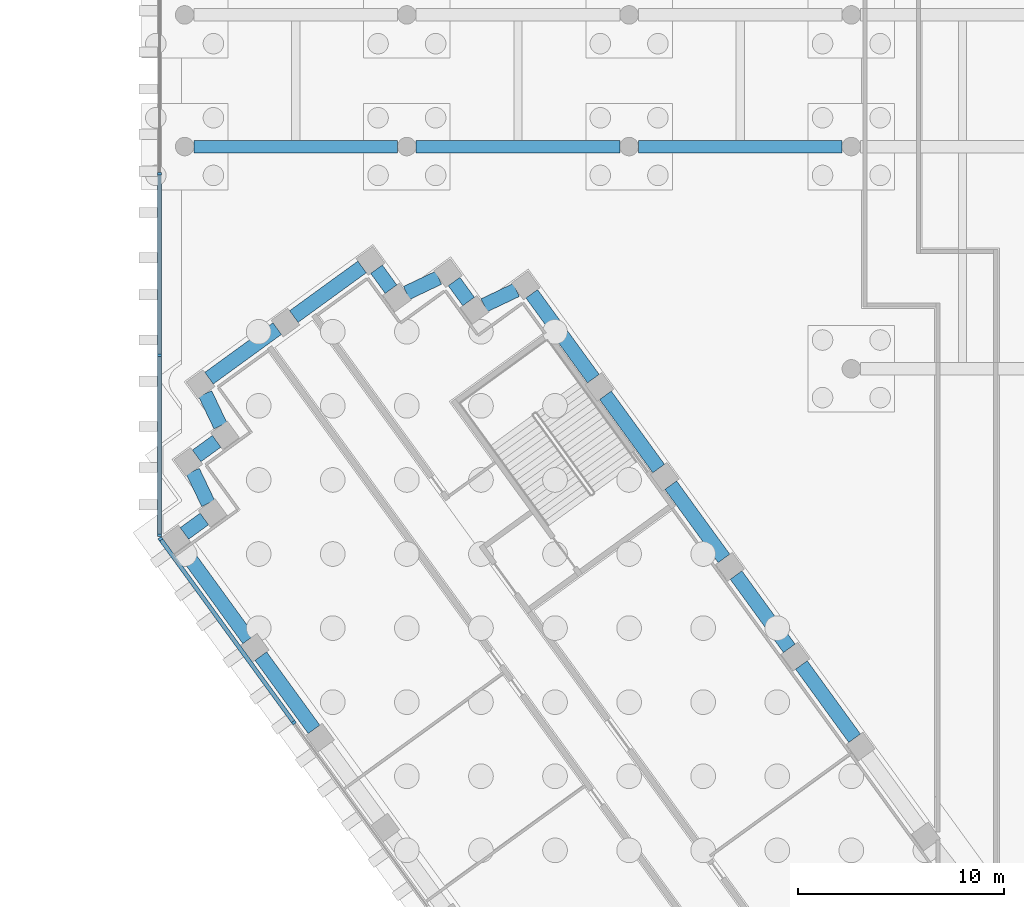
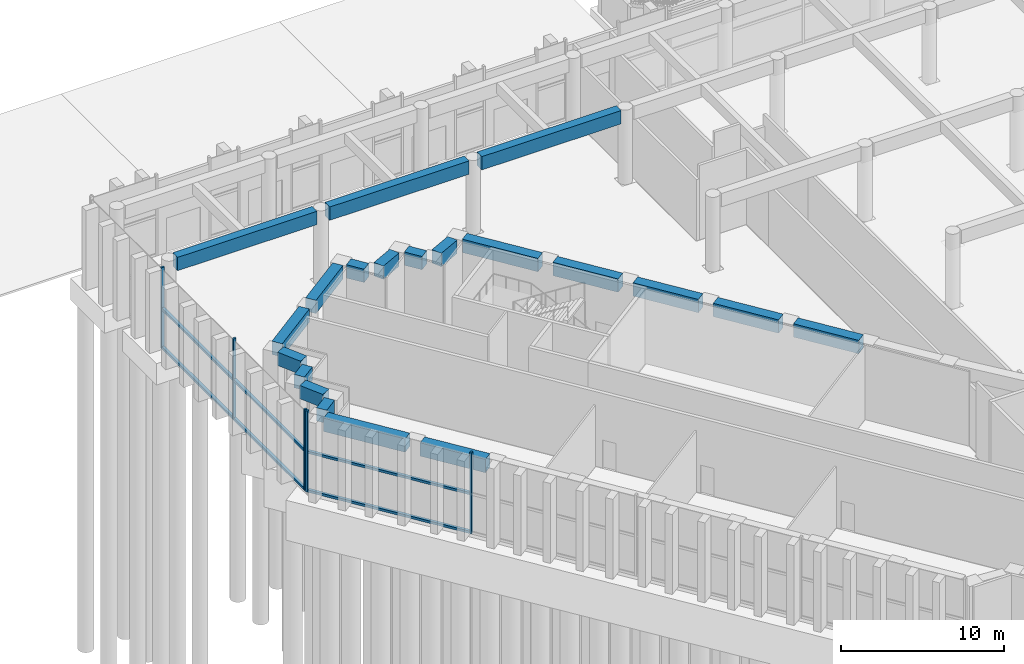
# One storey, part 6 of 32: 20 beams, 11 members, 2 elements without a shape of their own.
"""IFC4 building model written with IfcOpenShell, lengths in metres."""

import ifcopenshell
import ifcopenshell.guid

model = None  # the IFC model being written
_history = None  # IfcOwnerHistory: only IFC2X3 demands one
_inside = {}  # id of a spatial element -> (the spatial element, [elements in it])
_under = {}  # id of a project, library or spatial element -> (it, [spatial elements below it])
_declared = {}  # id of a project -> (the project, [libraries it declares])
_typed = {}  # id of a type object -> (the type object, [elements of that type])
_made_of = {}  # id of a material, layer set ... -> (it, [elements and type objects made of it])


def new_model(schema):
    """Start an empty IFC model of exactly this schema.

    Asked for "IFC4X3", IfcOpenShell would pick the latest addendum, in which some entities
    have other attributes; the version numbers below select the first issue.
    IFC2X3 requires an IfcOwnerHistory on every rooted entity: one is made here for all.
    """
    global model, _history
    if schema == "IFC4X3":
        model = ifcopenshell.file(schema_version=(4, 3, 0, 0))
    else:
        model = ifcopenshell.file(schema=schema)
    _inside.clear()
    _under.clear()
    _declared.clear()
    _typed.clear()
    _made_of.clear()
    _history = None
    if model.schema == "IFC2X3":
        org = make("IfcOrganization", Name="unknown")
        user = make(
            "IfcPersonAndOrganization",
            ThePerson=make("IfcPerson", FamilyName="unknown"),
            TheOrganization=org,
        )
        app = make(
            "IfcApplication",
            ApplicationDeveloper=org,
            Version="unknown",
            ApplicationFullName="unknown",
            ApplicationIdentifier="unknown",
        )
        _history = make(
            "IfcOwnerHistory",
            OwningUser=user,
            OwningApplication=app,
            ChangeAction="ADDED",
            CreationDate=0,
        )
    return model


def make(cls, **values):
    """One entity of the class cls with the attributes given. An attribute that is None is left unset."""
    return model.create_entity(
        cls, **{name: value for name, value in values.items() if value is not None}
    )


def rooted(cls, **values):
    """An entity with a GlobalId (a new one), such as an element, a storey or a relation."""
    return make(cls, GlobalId=ifcopenshell.guid.new(), OwnerHistory=_history, **values)


def si_unit(unit_type, name, prefix=None):
    """IfcSIUnit, for example si_unit("LENGTHUNIT", "METRE", prefix="MILLI")."""
    return make("IfcSIUnit", UnitType=unit_type, Prefix=prefix, Name=name)


def assignment(units):
    """IfcUnitAssignment: the units of a project."""
    return None if units is None else make("IfcUnitAssignment", Units=units)


def point(xyz):
    """IfcCartesianPoint."""
    return None if xyz is None else make("IfcCartesianPoint", Coordinates=xyz)


def direction(xyz):
    """IfcDirection."""
    return None if xyz is None else make("IfcDirection", DirectionRatios=xyz)


def frame(location, z_axis=None, x_axis=None):
    """IfcAxis2Placement3D, a coordinate frame: its origin and axes. An axis left out is left unset."""
    return make(
        "IfcAxis2Placement3D",
        Location=point(location),
        Axis=direction(z_axis),
        RefDirection=direction(x_axis),
    )


def frame_2d(location, x_axis=None):
    """IfcAxis2Placement2D, a coordinate frame in the plane: its origin and x axis."""
    return make(
        "IfcAxis2Placement2D", Location=point(location), RefDirection=direction(x_axis)
    )


def origin():
    """The frame at (0, 0, 0) with its axes left unset."""
    return frame((0.0, 0.0, 0.0))


def origin_2d():
    """The frame at (0, 0) in the plane with its x axis left unset."""
    return frame_2d((0.0, 0.0))


def place(relative_to, where):
    """IfcLocalPlacement: puts the frame where relative to a parent placement (None: the world)."""
    return make(
        "IfcLocalPlacement", PlacementRelTo=relative_to, RelativePlacement=where
    )


def context(
    kind, dimensions, precision=None, world=None, true_north=None, identifier=None
):
    """IfcGeometricRepresentationContext, for example the 3D "Model" context."""
    return make(
        "IfcGeometricRepresentationContext",
        ContextIdentifier=identifier,
        ContextType=kind,
        CoordinateSpaceDimension=dimensions,
        Precision=precision,
        WorldCoordinateSystem=world,
        TrueNorth=true_north,
    )


def subcontext(parent, identifier, kind, view, scale=None):
    """IfcGeometricRepresentationSubContext, for example "Body" below "Model"."""
    return make(
        "IfcGeometricRepresentationSubContext",
        ContextIdentifier=identifier,
        ContextType=kind,
        ParentContext=parent,
        TargetScale=scale,
        TargetView=view,
    )


def project(units=None, contexts=None):
    """IfcProject with its units and contexts."""
    return rooted(
        "IfcProject",
        Name="project",
        RepresentationContexts=contexts,
        UnitsInContext=assignment(units),
    )


def spatial(cls, under=None, at=None, **own):
    """A site, building, storey or space (cls), placed at a placement, below another one or the project."""
    s = rooted(cls, ObjectPlacement=at, **own)
    if under is not None:
        _under.setdefault(under.id(), (under, []))[1].append(s)
    return s


def profile(cls, at=None, kind="AREA", **sizes):
    """A parametric profile (cls). Its sizes go by their IFC names, for example OverallWidth=200.0."""
    return make(cls, ProfileType=kind, Position=at, **sizes)


def rectangle(**sizes):
    """IfcRectangleProfileDef."""
    return profile("IfcRectangleProfileDef", **sizes)


def extrude(swept, where, along, depth):
    """IfcExtrudedAreaSolid: the profile swept, set in the frame where, extruded along a direction by depth."""
    return make(
        "IfcExtrudedAreaSolid",
        SweptArea=swept,
        Position=where,
        ExtrudedDirection=direction(along),
        Depth=depth,
    )


def shape(context_of_items, identifier, shape_type, items):
    """IfcShapeRepresentation: the items that make up one representation, for example the "Body"."""
    return make(
        "IfcShapeRepresentation",
        ContextOfItems=context_of_items,
        RepresentationIdentifier=identifier,
        RepresentationType=shape_type,
        Items=items,
    )


def material(Name=None, Category=None):
    """IfcMaterial."""
    return make("IfcMaterial", Name=Name, Category=Category)


def material_profile(
    of_material, cross_section, Name=None, Category=None, Priority=None
):
    """IfcMaterialProfile: a cross section and its material."""
    return make(
        "IfcMaterialProfile",
        Name=Name,
        Material=of_material,
        Profile=cross_section,
        Priority=Priority,
        Category=Category,
    )


def profile_set(profiles, Name=None, composite=None):
    """IfcMaterialProfileSet."""
    return make(
        "IfcMaterialProfileSet",
        Name=Name,
        MaterialProfiles=profiles,
        CompositeProfile=composite,
    )


def made_of(thing, what):
    """Note that an element or type object is made of a material, layer set ...; save() writes the relation."""
    if what is not None:
        _made_of.setdefault(what.id(), (what, []))[1].append(thing)
    return thing


def type_object(cls, material=None, **own):
    """A type object (cls), such as IfcWallType, which elements share."""
    return made_of(rooted(cls, **own), material)


def element(
    cls,
    number,
    at=None,
    inside=None,
    cuts=None,
    type_object=None,
    material=None,
    context=None,
    identifier="Body",
    shape_type=None,
    held_by="IfcProductDefinitionShape",
    body=None,
    shapes=None,
    **own,
):
    """One element of the class cls, such as IfcWall. Its Tag is "e" and its number.

    at: its placement. inside: the storey or other place that contains it. cuts: it is an
    opening in that element (IfcRelVoidsElement). A single representation is given by context,
    identifier, shape_type and body (its items); several are given by shapes. held_by: the class
    of the entity that holds the representations. save() writes the other relations.
    """
    e = rooted(cls, Tag="e%d" % number, ObjectPlacement=at, **own)
    if body is not None:
        shapes = [shape(context, identifier, shape_type, body)]
    if shapes is not None:
        e.Representation = make(held_by, Representations=shapes)
    if inside is not None:
        _inside.setdefault(inside.id(), (inside, []))[1].append(e)
    if cuts is not None:
        rooted(
            "IfcRelVoidsElement", RelatingBuildingElement=cuts, RelatedOpeningElement=e
        )
    if type_object is not None:
        _typed.setdefault(type_object.id(), (type_object, []))[1].append(e)
    return made_of(e, material)


def aggregate(whole, parts):
    """IfcRelAggregates: a whole, such as a stair, and the parts it consists of."""
    return rooted("IfcRelAggregates", RelatingObject=whole, RelatedObjects=parts)


def save(model, path):
    """Write the relations noted so far, then the file.

    IfcRelAggregates (storeys below a building ...), IfcRelContainedInSpatialStructure (elements
    in a storey), IfcRelDefinesByType, IfcRelAssociatesMaterial and IfcRelDeclares: one each for
    every whole, place, type object, material and project.
    """
    for whole, parts in _under.values():
        aggregate(whole, parts)
    for where, things in _inside.values():
        rooted(
            "IfcRelContainedInSpatialStructure",
            RelatedElements=things,
            RelatingStructure=where,
        )
    for kind, things in _typed.values():
        rooted("IfcRelDefinesByType", RelatedObjects=things, RelatingType=kind)
    for what, things in _made_of.values():
        rooted("IfcRelAssociatesMaterial", RelatedObjects=things, RelatingMaterial=what)
    for by, libraries in _declared.values():
        rooted("IfcRelDeclares", RelatingContext=by, RelatedDefinitions=libraries)
    model.write(path)


model = new_model("IFC4")

# Units and contexts
model_context = context("Model", 3, precision=1e-05, world=origin(), true_north=direction((0.0, 1.0)))
body_context = subcontext(model_context, "Body", "Model", "MODEL_VIEW")
ifc_project = project(units=[si_unit("LENGTHUNIT", "METRE"), si_unit("AREAUNIT", "SQUARE_METRE"), si_unit("VOLUMEUNIT", "CUBIC_METRE"), si_unit("PLANEANGLEUNIT", "RADIAN"), si_unit("MASSUNIT", "GRAM", prefix="KILO")], contexts=[model_context])

# Site, building, storey
site_placement = place(None, origin())
site = spatial("IfcSite", under=ifc_project, at=site_placement, CompositionType="ELEMENT")
building_placement = place(site_placement, origin())
building = spatial("IfcBuilding", under=site, at=building_placement, Name="Quipu Civic Tower", CompositionType="ELEMENT")
storey_placement = place(building_placement, origin())
storey = spatial("IfcBuildingStorey", under=building, at=storey_placement, Name="L00", CompositionType="ELEMENT", Elevation=0.0)

# Beams
ifc_material_1 = material(Name="Concrete C50/60", Category="concrete")
ifc_material_profile_1 = material_profile(ifc_material_1, rectangle(XDim=0.60009765625, YDim=1.0, at=origin_2d()), Name="RC600x1000")
ifc_profile_set_1 = profile_set([ifc_material_profile_1], Name="Concrete C50/60")
beam_type_1 = type_object("IfcBeamType", Name="Deck girder RC 600x1000 C50/60", PredefinedType="BEAM", material=ifc_profile_set_1)
beam_1_placement = place(storey_placement, frame((-53.550048828125, 48.60009765625, 5.10009765625), z_axis=(1.0, 0.0, 0.0), x_axis=(0.0, 1.0, 0.0)))
element("IfcBeam", 1, at=beam_1_placement, inside=storey, type_object=beam_type_1, Name="Deck girder -10 49", PredefinedType="BEAM", context=body_context, shape_type="SweptSolid", body=[
    extrude(rectangle(XDim=0.60009765625, YDim=1.0, at=origin_2d()), origin(), (0.0, 0.0, 1.0), 9.900146484375),
])
for number, where, z_axis, x_axis, name in (
    (2, (-42.75, 48.60009765625, 5.10009765625), (1.0, 0.0, 0.0), (0.0, 1.0, 0.0), "Deck girder -8 49"),
    (3, (-31.949951171875, 48.60009765625, 5.10009765625), (1.0, 0.0, 0.0), (0.0, 1.0, 0.0), "Deck girder -6 49"),
):
    element("IfcBeam", number, at=place(storey_placement, frame(where, z_axis=z_axis, x_axis=x_axis)), inside=storey, type_object=beam_type_1, Name=name, PredefinedType="BEAM", context=body_context, shape_type="SweptSolid", body=[
        extrude(rectangle(XDim=0.60009765625, YDim=1.0, at=origin_2d()), origin(), (0.0, 0.0, 1.0), 9.89990234375),
    ])

# Curtain wall, members
ifc_material_2 = material(Name="Insulated glass unit", Category="glass")
curtain_wall_type = type_object("IfcCurtainWallType", Name="Hall glazing CW2", PredefinedType="NOTDEFINED", material=ifc_material_2)
curtain_wall_1_placement = place(storey_placement, origin())
curtain_wall_1 = element("IfcCurtainWall", 4, at=curtain_wall_1_placement, inside=storey, type_object=curtain_wall_type, Name="Hall glazing CW2 L00 run 32", PredefinedType="NOTDEFINED")
ifc_material_3 = material(Name="Anodised aluminium", Category="aluminium")
ifc_material_profile_2 = material_profile(ifc_material_3, rectangle(XDim=0.199951171875, YDim=0.139892578125, at=origin_2d()), Name="RECT 200x140")
ifc_profile_set_2 = profile_set([ifc_material_profile_2], Name="Anodised aluminium")
member_type_1 = type_object("IfcMemberType", Name="Mullion CW2", PredefinedType="MULLION", material=ifc_profile_set_2)
member_1_placement = place(storey_placement, frame((-55.21435546875, 47.28076171875, 0.0), z_axis=(0.0, 0.0, 1.0), x_axis=(1.0, 0.0, 0.0)))
member_1 = element("IfcMember", 5, at=member_1_placement, type_object=member_type_1, Name="CW2 mullion 2", PredefinedType="MULLION", context=body_context, shape_type="SweptSolid", body=[
    extrude(rectangle(XDim=0.199951171875, YDim=0.139892578125, at=origin_2d()), origin(), (0.0, 0.0, 1.0), 6.090087890625),
])
member_2_placement = place(storey_placement, frame((-55.21435546875, 38.461669921875, 0.0), z_axis=(0.0, 0.0, 1.0), x_axis=(1.0, 0.0, 0.0)))
member_2 = element("IfcMember", 6, at=member_2_placement, type_object=member_type_1, Name="CW2 mullion 3", PredefinedType="MULLION", context=body_context, shape_type="SweptSolid", body=[
    extrude(rectangle(XDim=0.199951171875, YDim=0.139892578125, at=origin_2d()), origin(), (0.0, 0.0, 1.0), 6.090087890625),
])
member_3_placement = place(storey_placement, frame((-55.21435546875, 29.71240234375, 0.0), z_axis=(0.0, 0.0, 1.0), x_axis=(1.0, 0.0, 0.0)))
member_3 = element("IfcMember", 7, at=member_3_placement, type_object=member_type_1, Name="CW2 mullion 4", PredefinedType="MULLION", context=body_context, shape_type="SweptSolid", body=[
    extrude(rectangle(XDim=0.199951171875, YDim=0.139892578125, at=origin_2d()), origin(), (0.0, 0.0, 1.0), 6.090087890625),
])

curtain_wall_2_placement = place(storey_placement, origin())
curtain_wall_2 = element("IfcCurtainWall", 8, at=curtain_wall_2_placement, inside=storey, type_object=curtain_wall_type, Name="Hall glazing CW2 L00 run 35", PredefinedType="NOTDEFINED")
member_4_placement = place(storey_placement, frame((-55.178466796875, 29.53466796875, 0.0), z_axis=(0.0, 0.0, 1.0), x_axis=(0.809017581064, 0.587784444783, 0.0)))
member_4 = element("IfcMember", 9, at=member_4_placement, type_object=member_type_1, Name="CW2 mullion 1", PredefinedType="MULLION", context=body_context, shape_type="SweptSolid", body=[
    extrude(rectangle(XDim=0.199951171875, YDim=0.139892578125, at=origin_2d()), origin(), (0.0, 0.0, 1.0), 6.090087890625),
])
member_5_placement = place(storey_placement, frame((-48.691162109375, 20.60546875, 0.0), z_axis=(0.0, 0.0, 1.0), x_axis=(0.809017581064, 0.587784444783, 0.0)))
member_5 = element("IfcMember", 10, at=member_5_placement, type_object=member_type_1, Name="CW2 mullion 2", PredefinedType="MULLION", context=body_context, shape_type="SweptSolid", body=[
    extrude(rectangle(XDim=0.199951171875, YDim=0.139892578125, at=origin_2d()), origin(), (0.0, 0.0, 1.0), 6.090087890625),
])

# Beams
ifc_material_4 = material(Name="Concrete C50/60", Category="concrete")
ifc_material_profile_3 = material_profile(ifc_material_4, rectangle(XDim=0.699951171875, YDim=1.0, at=origin_2d()), Name="RC700x1000")
ifc_profile_set_3 = profile_set([ifc_material_profile_3], Name="Concrete C50/60")
beam_type_2 = type_object("IfcBeamType", Name="Spandrel beam RC 700x1000 C50/60", PredefinedType="SPANDREL", material=ifc_profile_set_3)
for number, where, z_axis, x_axis, name in (
    (11, (-21.441162109375, 19.848388671875, 5.10009765625), (-0.587759228046, 0.809035901457, 0.0), (-0.809035901457, -0.587759228046, 0.0), "Spandrel beam L00 W-IN-02 to W-IN-03"),
    (12, (-24.615234375, 24.217041015625, 5.10009765625), (-0.587732844487, 0.809055068281, 0.0), (-0.809055068281, -0.587732844487, 0.0), "Spandrel beam L00 W-IN-03 to W-IN-04"),
    (13, (-27.7890625, 28.5859375, 5.10009765625), (-0.587759228046, 0.809035901457, 0.0), (-0.809035901457, -0.587759228046, 0.0), "Spandrel beam L00 W-IN-04 to W-IN-05"),
    (14, (-30.962890625, 32.954833984375, 5.10009765625), (-0.587759228046, 0.809035901457, 0.0), (-0.809035901457, -0.587759228046, 0.0), "Spandrel beam L00 W-IN-05 to W-IN-06"),
):
    element("IfcBeam", number, at=place(storey_placement, frame(where, z_axis=z_axis, x_axis=x_axis)), inside=storey, type_object=beam_type_2, Name=name, PredefinedType="SPANDREL", context=body_context, shape_type="SweptSolid", body=[
        extrude(rectangle(XDim=0.699951171875, YDim=1.0, at=origin_2d()), origin(), (0.0, 0.0, 1.0), 4.400146484375),
    ])
beam_2_placement = place(storey_placement, frame((-34.13671875, 37.32373046875, 5.10009765625), z_axis=(-0.587747065363, 0.809044737426, 0.0), x_axis=(-0.809044737426, -0.587747065363, 0.0)))
element("IfcBeam", 15, at=beam_2_placement, inside=storey, type_object=beam_type_2, Name="Spandrel beam L00 W-IN-06 to T-Wi.0-W50", PredefinedType="SPANDREL", context=body_context, shape_type="SweptSolid", body=[
    extrude(rectangle(XDim=0.699951171875, YDim=1.0, at=origin_2d()), origin(), (0.0, 0.0, 1.0), 5.0947265625),
])
beam_3_placement = place(storey_placement, frame((-37.8837890625, 41.630859375, 5.10009765625), z_axis=(-0.902482283387, -0.43072697637, 0.0), x_axis=(0.43072697637, -0.902482283387, 0.0)))
element("IfcBeam", 16, at=beam_3_placement, inside=storey, type_object=beam_type_2, Name="Spandrel beam L00 T-Wi.0-W50 to T-Wi.1-W50", PredefinedType="SPANDREL", context=body_context, shape_type="SweptSolid", body=[
    extrude(rectangle(XDim=0.699951171875, YDim=1.0, at=origin_2d()), origin(), (0.0, 0.0, 1.0), 1.731689453125),
])
beam_4_placement = place(storey_placement, frame((-40.19970703125, 41.0703125, 5.10009765625), z_axis=(-0.588316837584, 0.808630508091, 0.0), x_axis=(-0.808630508091, -0.588316837584, 0.0)))
element("IfcBeam", 17, at=beam_4_placement, inside=storey, type_object=beam_type_2, Name="Spandrel beam L00 T-Wi.1-W50 to T-Wi.2-W50", PredefinedType="SPANDREL", context=body_context, shape_type="SweptSolid", body=[
    extrude(rectangle(XDim=0.699951171875, YDim=1.0, at=origin_2d()), origin(), (0.0, 0.0, 1.0), 1.2001953125),
])
beam_5_placement = place(storey_placement, frame((-41.658935546875, 42.22607421875, 5.10009765625), z_axis=(-0.902651065962, -0.430373155666, 0.0), x_axis=(0.430373155666, -0.902651065962, 0.0)))
element("IfcBeam", 18, at=beam_5_placement, inside=storey, type_object=beam_type_2, Name="Spandrel beam L00 T-Wi.2-W50 to T-Wi.3-W50", PredefinedType="SPANDREL", context=body_context, shape_type="SweptSolid", body=[
    extrude(rectangle(XDim=0.699951171875, YDim=1.0, at=origin_2d()), origin(), (0.0, 0.0, 1.0), 1.724609375),
])
beam_6_placement = place(storey_placement, frame((-43.96875, 41.669189453125, 5.10009765625), z_axis=(-0.588461629015, 0.808525145667, 0.0), x_axis=(-0.808525145667, -0.588461629015, 0.0)))
element("IfcBeam", 19, at=beam_6_placement, inside=storey, type_object=beam_type_2, Name="Spandrel beam L00 T-Wi.3-W50 to T-Wi.4-W50", PredefinedType="SPANDREL", context=body_context, shape_type="SweptSolid", body=[
    extrude(rectangle(XDim=0.699951171875, YDim=1.0, at=origin_2d()), origin(), (0.0, 0.0, 1.0), 1.201416015625),
])
beam_7_placement = place(storey_placement, frame((-45.37451171875, 42.7509765625, 5.10009765625), z_axis=(-0.808983206573, -0.587831754401, 0.0), x_axis=(0.587831754401, -0.808983206573, 0.0)))
element("IfcBeam", 20, at=beam_7_placement, inside=storey, type_object=beam_type_2, Name="Spandrel beam L00 T-Wi.4-W50 to TIP-W-01-W50", PredefinedType="SPANDREL", context=body_context, shape_type="SweptSolid", body=[
    extrude(rectangle(XDim=0.699951171875, YDim=1.0, at=origin_2d()), origin(), (0.0, 0.0, 1.0), 4.10009765625),
])
beam_8_placement = place(storey_placement, frame((-49.500244140625, 39.7529296875, 5.10009765625), z_axis=(-0.808980758408, -0.587835123589, 0.0), x_axis=(0.587835123589, -0.808980758408, 0.0)))
element("IfcBeam", 21, at=beam_8_placement, inside=storey, type_object=beam_type_2, Name="Spandrel beam L00 TIP-W-01-W50 to T-Wo.0-W50", PredefinedType="SPANDREL", context=body_context, shape_type="SweptSolid", body=[
    extrude(rectangle(XDim=0.699951171875, YDim=1.0, at=origin_2d()), origin(), (0.0, 0.0, 1.0), 4.097900390625),
])
beam_9_placement = place(storey_placement, frame((-53.001220703125, 36.5908203125, 5.10009765625), z_axis=(0.430185740912, -0.902740399182, 0.0), x_axis=(0.902740399182, 0.430185740912, 0.0)))
element("IfcBeam", 22, at=beam_9_placement, inside=storey, type_object=beam_type_2, Name="Spandrel beam L00 T-Wo.0-W50 to T-Wo.1-W50", PredefinedType="SPANDREL", context=body_context, shape_type="SweptSolid", body=[
    extrude(rectangle(XDim=0.699951171875, YDim=1.0, at=origin_2d()), origin(), (0.0, 0.0, 1.0), 1.728759765625),
])
beam_10_placement = place(storey_placement, frame((-52.443115234375, 34.27685546875, 5.10009765625), z_axis=(-0.808586856323, -0.588376831446, 0.0), x_axis=(0.588376831446, -0.808586856323, 0.0)))
element("IfcBeam", 23, at=beam_10_placement, inside=storey, type_object=beam_type_2, Name="Spandrel beam L00 T-Wo.1-W50 to T-Wo.2-W50", PredefinedType="SPANDREL", context=body_context, shape_type="SweptSolid", body=[
    extrude(rectangle(XDim=0.699951171875, YDim=1.0, at=origin_2d()), origin(), (0.0, 0.0, 1.0), 1.202880859375),
])
beam_11_placement = place(storey_placement, frame((-53.6005859375, 32.81640625, 5.10009765625), z_axis=(0.431370473785, -0.902174880135, 0.0), x_axis=(0.902174880135, 0.431370473785, 0.0)))
element("IfcBeam", 24, at=beam_11_placement, inside=storey, type_object=beam_type_2, Name="Spandrel beam L00 T-Wo.2-W50 to T-Wo.3-W50", PredefinedType="SPANDREL", context=body_context, shape_type="SweptSolid", body=[
    extrude(rectangle(XDim=0.699951171875, YDim=1.0, at=origin_2d()), origin(), (0.0, 0.0, 1.0), 1.727294921875),
])
beam_12_placement = place(storey_placement, frame((-53.040283203125, 30.50537109375, 5.10009765625), z_axis=(-0.808630508091, -0.588316837584, 0.0), x_axis=(0.588316837584, -0.808630508091, 0.0)))
element("IfcBeam", 25, at=beam_12_placement, inside=storey, type_object=beam_type_2, Name="Spandrel beam L00 T-Wo.3-W50 to T-Wo.4-W50", PredefinedType="SPANDREL", context=body_context, shape_type="SweptSolid", body=[
    extrude(rectangle(XDim=0.699951171875, YDim=1.0, at=origin_2d()), origin(), (0.0, 0.0, 1.0), 1.2001953125),
])
beam_13_placement = place(storey_placement, frame((-54.12109375, 29.1005859375, 5.10009765625), z_axis=(0.587765432916, -0.809031393624, 0.0), x_axis=(0.809031393624, 0.587765432916, 0.0)))
element("IfcBeam", 26, at=beam_13_placement, inside=storey, type_object=beam_type_2, Name="Spandrel beam L00 T-Wo.4-W50 to W-OUT-07", PredefinedType="SPANDREL", context=body_context, shape_type="SweptSolid", body=[
    extrude(rectangle(XDim=0.699951171875, YDim=1.0, at=origin_2d()), origin(), (0.0, 0.0, 1.0), 5.503662109375),
])
beam_14_placement = place(storey_placement, frame((-50.298583984375, 23.839111328125, 5.10009765625), z_axis=(0.587759228046, -0.809035901457, 0.0), x_axis=(0.809035901457, 0.587759228046, 0.0)))
element("IfcBeam", 27, at=beam_14_placement, inside=storey, type_object=beam_type_2, Name="Spandrel beam L00 W-OUT-07 to W-OUT-06", PredefinedType="SPANDREL", context=body_context, shape_type="SweptSolid", body=[
    extrude(rectangle(XDim=0.699951171875, YDim=1.0, at=origin_2d()), origin(), (0.0, 0.0, 1.0), 4.400146484375),
])

# Member
ifc_material_5 = material(Name="Anodised aluminium", Category="aluminium")
ifc_material_profile_4 = material_profile(ifc_material_5, rectangle(XDim=0.199951171875, YDim=0.179931640625, at=origin_2d()), Name="RECT 200x180")
ifc_profile_set_4 = profile_set([ifc_material_profile_4], Name="Anodised aluminium")
member_type_2 = type_object("IfcMemberType", Name="Transom CW2", PredefinedType="USERDEFINED", material=ifc_profile_set_4)
member_6_placement = place(storey_placement, frame((-55.21435546875, 47.210693359375, 0.090087890625), z_axis=(0.0, -1.0, 0.0), x_axis=(1.0, 0.0, 0.0)))
member_6 = element("IfcMember", 28, at=member_6_placement, type_object=member_type_2, Name="CW2 transom 2.1", ObjectType="TRANSOM", PredefinedType="USERDEFINED", context=body_context, shape_type="SweptSolid", body=[
    extrude(rectangle(XDim=0.199951171875, YDim=0.179931640625, at=origin_2d()), origin(), (0.0, 0.0, 1.0), 8.67919921875),
])

member_7_placement = place(storey_placement, frame((-55.21435546875, 47.210693359375, 3.0), z_axis=(0.0, -1.0, 0.0), x_axis=(1.0, 0.0, 0.0)))
member_7 = element("IfcMember", 29, at=member_7_placement, type_object=member_type_2, Name="CW2 transom 2.2", ObjectType="TRANSOM", PredefinedType="USERDEFINED", context=body_context, shape_type="SweptSolid", body=[
    extrude(rectangle(XDim=0.199951171875, YDim=0.179931640625, at=origin_2d()), origin(), (0.0, 0.0, 1.0), 8.67919921875),
])

member_8_placement = place(storey_placement, frame((-55.21435546875, 38.3916015625, 0.090087890625), z_axis=(0.0, -1.0, 0.0), x_axis=(1.0, 0.0, 0.0)))
member_8 = element("IfcMember", 30, at=member_8_placement, type_object=member_type_2, Name="CW2 transom 3.1", ObjectType="TRANSOM", PredefinedType="USERDEFINED", context=body_context, shape_type="SweptSolid", body=[
    extrude(rectangle(XDim=0.199951171875, YDim=0.179931640625, at=origin_2d()), origin(), (0.0, 0.0, 1.0), 8.609130859375),
])

member_9_placement = place(storey_placement, frame((-55.21435546875, 38.3916015625, 3.0), z_axis=(0.0, -1.0, 0.0), x_axis=(1.0, 0.0, 0.0)))
member_9 = element("IfcMember", 31, at=member_9_placement, type_object=member_type_2, Name="CW2 transom 3.2", ObjectType="TRANSOM", PredefinedType="USERDEFINED", context=body_context, shape_type="SweptSolid", body=[
    extrude(rectangle(XDim=0.199951171875, YDim=0.179931640625, at=origin_2d()), origin(), (0.0, 0.0, 1.0), 8.609130859375),
])

aggregate(curtain_wall_1, [member_1, member_2, member_3, member_6, member_7, member_8, member_9])

member_10_placement = place(storey_placement, frame((-55.13720703125, 29.47802734375, 0.090087890625), z_axis=(0.587763979163, -0.809032449781, 0.0), x_axis=(0.809032449781, 0.587763979163, 0.0)))
member_10 = element("IfcMember", 32, at=member_10_placement, type_object=member_type_2, Name="CW2 transom 1.1", ObjectType="TRANSOM", PredefinedType="USERDEFINED", context=body_context, shape_type="SweptSolid", body=[
    extrude(rectangle(XDim=0.199951171875, YDim=0.179931640625, at=origin_2d()), origin(), (0.0, 0.0, 1.0), 10.89697265625),
])

member_11_placement = place(storey_placement, frame((-55.13720703125, 29.47802734375, 3.0), z_axis=(0.587763979163, -0.809032449781, 0.0), x_axis=(0.809032449781, 0.587763979163, 0.0)))
member_11 = element("IfcMember", 33, at=member_11_placement, type_object=member_type_2, Name="CW2 transom 1.2", ObjectType="TRANSOM", PredefinedType="USERDEFINED", context=body_context, shape_type="SweptSolid", body=[
    extrude(rectangle(XDim=0.199951171875, YDim=0.179931640625, at=origin_2d()), origin(), (0.0, 0.0, 1.0), 10.89697265625),
])

aggregate(curtain_wall_2, [member_4, member_5, member_10, member_11])

save(model, "model.ifc")
